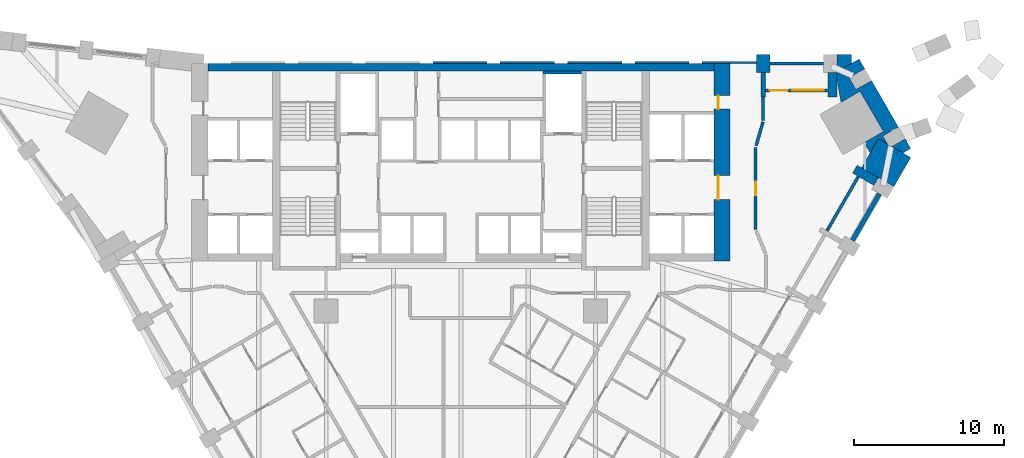
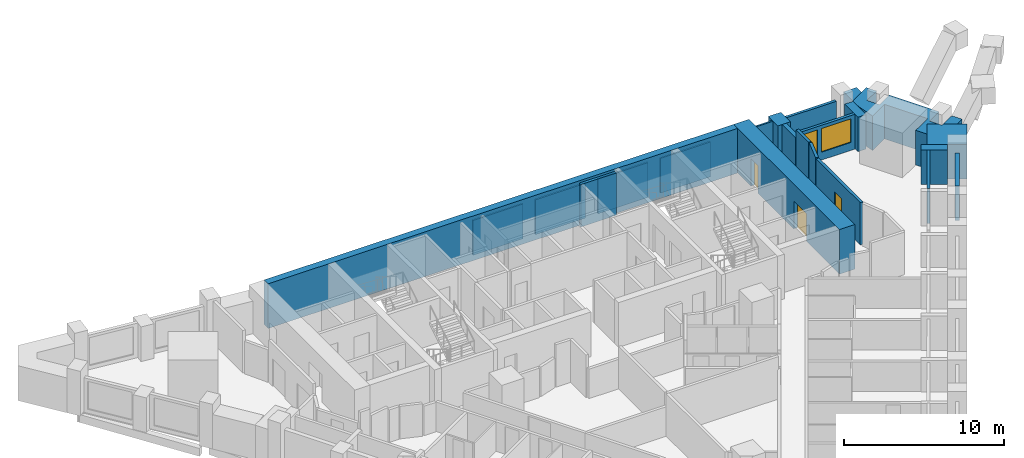
# One storey, part 10 of 12: 23 walls, 4 doors, 1 window, 5 openings.
"""IFC4 building model written with IfcOpenShell, lengths in metres."""

from ifc_helpers import new_model, si_unit, direction, frame, frame_2d, origin, place, context, subcontext, project, spatial, polyline, rectangle, outline, extrude, material, layer, layer_set, type_object, element, fill, save


model = new_model("IFC4")

# Units and contexts
model_context = context("Model", 3, precision=1e-05, world=origin(), true_north=direction((0.0, 1.0)))
body_context = subcontext(model_context, "Body", "Model", "MODEL_VIEW")
ifc_project = project(units=[si_unit("LENGTHUNIT", "METRE"), si_unit("AREAUNIT", "SQUARE_METRE"), si_unit("VOLUMEUNIT", "CUBIC_METRE"), si_unit("PLANEANGLEUNIT", "RADIAN"), si_unit("MASSUNIT", "GRAM", prefix="KILO")], contexts=[model_context])

# Site, building, storey
site_placement = place(None, origin())
site = spatial("IfcSite", under=ifc_project, at=site_placement, CompositionType="ELEMENT")
building_placement = place(site_placement, origin())
building = spatial("IfcBuilding", under=site, at=building_placement, Name="Calabash Gate Tower", CompositionType="ELEMENT")
storey_placement = place(building_placement, frame((0.0, 0.0, 83.39990234375)))
storey = spatial("IfcBuildingStorey", under=building, at=storey_placement, Name="L17", CompositionType="ELEMENT", Elevation=83.39990234375)

# Walls
ifc_material_1 = material(Name="Terracotta brick masonry, exposed face", Category="masonry")
ifc_layer_1 = layer(ifc_material_1, 2.5)
ifc_layer_set_1 = layer_set([ifc_layer_1], Name="Brick corner mass wall 2500")
wall_type_1 = type_object("IfcWallType", Name="Brick corner mass wall 2500", PredefinedType="SOLIDWALL", material=ifc_layer_set_1)
wall_1_placement = place(storey_placement, origin())
element("IfcWall", 1, at=wall_1_placement, inside=storey, type_object=wall_type_1, Name="Brick corner pier S04 3a", PredefinedType="SOLIDWALL", context=body_context, shape_type="SweptSolid", body=[
    extrude(outline(polyline([(30.06640625, 12.771484375), (28.794921875, 13.505615234375), (28.65234375, 13.42333984375), (28.509765625, 13.670166015625), (27.9013671875, 14.021484375), (26.777099609375, 12.073974609375), (28.942138671875, 10.823974609375), (30.06640625, 12.771484375)])), origin(), (0.0, 0.0, 1.0), 2.630126953125),
])
wall_2_placement = place(storey_placement, origin())
element("IfcWall", 2, at=wall_2_placement, inside=storey, type_object=wall_type_1, Name="Brick corner pier S04 3ba", PredefinedType="SOLIDWALL", context=body_context, shape_type="SweptSolid", body=[
    extrude(outline(polyline([(29.72607421875, 13.9609375), (29.583740234375, 13.9609375), (28.777099609375, 13.495361328125), (28.794921875, 13.505615234375), (29.546875, 13.071533203125), (30.06640625, 13.37158203125), (29.72607421875, 13.9609375)])), origin(), (0.0, 0.0, 1.0), 2.630126953125),
])
wall_3_placement = place(storey_placement, origin())
element("IfcWall", 3, at=wall_3_placement, inside=storey, type_object=wall_type_1, Name="Brick corner pier S04 3bb", PredefinedType="SOLIDWALL", context=body_context, shape_type="SweptSolid", body=[
    extrude(outline(polyline([(26.67431640625, 17.1904296875), (28.224365234375, 14.505615234375), (26.94970703125, 13.769775390625), (27.35302734375, 13.071533203125), (27.9013671875, 14.021484375), (28.509765625, 13.670166015625), (28.202392578125, 14.20263671875), (29.240478515625, 14.802001953125), (27.44384765625, 17.9140625), (26.40234375, 17.3212890625), (25.952392578125, 18.100830078125), (26.990234375, 18.699951171875), (26.61328125, 19.3525390625), (25.054443359375, 18.45263671875), (25.141845703125, 18.45263671875), (25.141845703125, 17.947021484375), (25.399658203125, 16.454345703125), (26.67431640625, 17.1904296875)])), origin(), (0.0, 0.0, 1.0), 2.630126953125),
])
wall_4_placement = place(storey_placement, origin())
element("IfcWall", 4, at=wall_4_placement, inside=storey, type_object=wall_type_1, Name="Brick corner pier S04 3c", PredefinedType="SOLIDWALL", context=body_context, shape_type="SweptSolid", body=[
    extrude(outline(polyline([(26.09375, 19.652587890625), (25.14208984375, 19.652587890625), (25.14208984375, 18.503173828125), (26.09375, 19.052490234375), (26.09375, 19.652587890625)])), origin(), (0.0, 0.0, 1.0), 2.630126953125),
])
ifc_material_2 = material(Name="Terracotta brick masonry, exposed face", Category="masonry")
ifc_layer_2 = layer(ifc_material_2, 1.199951171875)
ifc_layer_set_2 = layer_set([ifc_layer_2], Name="Brick end wall 1200")
wall_type_2 = type_object("IfcWallType", Name="Brick end wall 1200", PredefinedType="SOLIDWALL", material=ifc_layer_set_2)
wall_5_placement = place(storey_placement, origin())
element("IfcWall", 5, at=wall_5_placement, inside=storey, type_object=wall_type_2, Name="Brick pier S04 N4.1", PredefinedType="SOLIDWALL", context=body_context, shape_type="SweptSolid", body=[
    extrude(outline(polyline([(20.641845703125, 19.652587890625), (19.74169921875, 19.652587890625), (19.74169921875, 18.45263671875), (20.641845703125, 18.45263671875), (20.641845703125, 19.652587890625)])), origin(), (0.0, 0.0, 1.0), 2.650146484375),
])
ifc_material_3 = material(Name="Terracotta brick masonry, exposed face", Category="masonry")
ifc_layer_3 = layer(ifc_material_3, 0.300048828125)
ifc_layer_set_3 = layer_set([ifc_layer_3], Name="Brick infill panel wall 300")
wall_type_3 = type_object("IfcWallType", Name="Brick infill panel wall 300", PredefinedType="SOLIDWALL", material=ifc_layer_set_3)
wall_6_placement = place(storey_placement, frame((26.17236328125, 7.22705078125, 0.0), z_axis=(0.0, 0.0, 1.0), x_axis=(0.50001992892, 0.866013897511, 0.0)))
element("IfcWall", 6, at=wall_6_placement, inside=storey, type_object=wall_type_3, Name="Brick panel S04 SE2.10", PredefinedType="SOLIDWALL", context=body_context, shape_type="SweptSolid", body=[
    extrude(rectangle(XDim=3.599365234375, YDim=0.300048828125, at=frame_2d((1.7998046875, 0.0))), origin(), (0.0, 0.0, 1.0), 2.630126953125),
])
ifc_material_4 = material(Name="Terracotta brick masonry, exposed face", Category="masonry")
ifc_layer_4 = layer(ifc_material_4, 0.300048828125)
ifc_layer_set_4 = layer_set([ifc_layer_4], Name="Brick loggia cheek wall 300")
wall_type_4 = type_object("IfcWallType", Name="Brick loggia cheek wall 300", PredefinedType="SOLIDWALL", material=ifc_layer_set_4)
wall_7_placement = place(storey_placement, frame((27.7529296875, 11.164306640625, 0.0), z_axis=(0.0, 0.0, 1.0), x_axis=(-0.866040211805, 0.499974350878, 0.0)))
element("IfcWall", 7, at=wall_7_placement, inside=storey, type_object=wall_type_4, Name="Loggia cheek S04 SE2.10", PredefinedType="SOLIDWALL", context=body_context, shape_type="SweptSolid", body=[
    extrude(rectangle(XDim=1.64990234375, YDim=0.60009765625, at=frame_2d((0.824951171875, 0.0))), origin(), (0.0, 0.0, 1.0), 2.650146484375),
])
wall_8_placement = place(storey_placement, origin())
element("IfcWall", 8, at=wall_8_placement, inside=storey, type_object=wall_type_4, Name="Loggia cheek S04 N4.0", PredefinedType="SOLIDWALL", context=body_context, shape_type="SweptSolid", body=[
    extrude(outline(polyline([(25.141845703125, 16.802490234375), (25.141845703125, 18.45263671875), (24.541748046875, 18.45263671875), (24.541748046875, 16.802490234375), (25.141845703125, 16.802490234375)])), origin(), (0.0, 0.0, 1.0), 2.630126953125),
])
wall_9_placement = place(storey_placement, origin())
element("IfcWall", 9, at=wall_9_placement, inside=storey, type_object=wall_type_4, Name="Loggia cheek S04 N4.1", PredefinedType="SOLIDWALL", context=body_context, shape_type="SweptSolid", body=[
    extrude(outline(polyline([(20.041748046875, 18.45263671875), (20.041748046875, 16.802490234375), (20.341796875, 16.802490234375), (20.341796875, 18.45263671875), (20.041748046875, 18.45263671875)])), origin(), (0.0, 0.0, 1.0), 2.650146484375),
])

# Wall, openings, doors
ifc_material_5 = material(Name="Concrete C80/95", Category="concrete")
ifc_layer_5 = layer(ifc_material_5, 1.10009765625)
ifc_layer_set_5 = layer_set([ifc_layer_5], Name="Core wall 1100 Concrete C80/95")
wall_type_5 = type_object("IfcWallType", Name="Core wall 1100 Concrete C80/95", PredefinedType="SHEAR", material=ifc_layer_set_5)
wall_10_placement = place(storey_placement, frame((17.449951171875, 5.8525390625, 0.0), z_axis=(0.0, 0.0, 1.0), x_axis=(0.0, 1.0, 0.0)))
wall_10 = element("IfcWall", 10, at=wall_10_placement, inside=storey, type_object=wall_type_5, Name="Core wall Z1-ENDE L17", PredefinedType="SHEAR", context=body_context, shape_type="SweptSolid", body=[
    extrude(rectangle(XDim=13.199951171875, YDim=1.10009765625, at=frame_2d((6.60009765625, 0.0))), origin(), (0.0, 0.0, 1.0), 3.400146484375),
])
opening_1_placement = place(wall_10_placement, frame((4.10009765625, 0.0, 0.0)))
opening_1 = element("IfcOpeningElement", 11, at=opening_1_placement, cuts=wall_10, Name="Opening H4-002", PredefinedType="OPENING", context=body_context, shape_type="SweptSolid", body=[
    extrude(rectangle(XDim=1.60009765625, YDim=2.10009765625, at=frame_2d((0.800048828125, 1.050048828125))), frame((0.0, 0.56005859375, 0.0), z_axis=(0.0, -1.0, 0.0), x_axis=(1.0, 0.0, 0.0)), (0.0, 0.0, 1.0), 1.1201171875),
])
opening_2_placement = place(wall_10_placement, frame((10.14990234375, 0.0, 0.0)))
opening_2 = element("IfcOpeningElement", 12, at=opening_2_placement, cuts=wall_10, Name="Opening H4-001", PredefinedType="OPENING", context=body_context, shape_type="SweptSolid", body=[
    extrude(rectangle(XDim=0.89990234375, YDim=2.10009765625, at=frame_2d((0.449951171875, 1.050048828125))), frame((0.0, 0.56005859375, 0.0), z_axis=(0.0, -1.0, 0.0), x_axis=(1.0, 0.0, 0.0)), (0.0, 0.0, 1.0), 1.1201171875),
])
ifc_material_6 = material(Name="Steel fire door set with fire-resisting glazing", Category="steel")
door_type_1 = type_object("IfcDoorType", Name="Double fire door D08 1600x2100 FD60", OperationType="DOUBLE_DOOR_SINGLE_SWING", PredefinedType="DOOR", material=ifc_material_6)
door_1_placement = place(opening_1_placement, origin())
door_1 = element("IfcDoor", 13, at=door_1_placement, inside=storey, type_object=door_type_1, Name="Low-rise Lift Lobby E door", OperationType="DOUBLE_DOOR_SINGLE_SWING", OverallHeight=2.10009765625, OverallWidth=1.60009765625, PredefinedType="DOOR", context=body_context, shape_type="SweptSolid", body=[
    extrude(rectangle(XDim=1.60009765625, YDim=2.10009765625, at=frame_2d((0.800048828125, 1.050048828125))), frame((0.0, 0.27490234375, 0.0), z_axis=(0.0, -1.0, 0.0), x_axis=(1.0, 0.0, 0.0)), (0.0, 0.0, 1.0), 0.050048828125),
])
fill(opening_1, door_1)
ifc_material_7 = material(Name="Steel fire door set with fire-resisting glazing", Category="steel")
door_type_2 = type_object("IfcDoorType", Name="Fire door D06 900x2100 FD60", OperationType="NOTDEFINED", PredefinedType="DOOR", material=ifc_material_7)
door_2_placement = place(opening_2_placement, origin())
door_2 = element("IfcDoor", 14, at=door_2_placement, inside=storey, type_object=door_type_2, Name="Housekeeping Store door", OperationType="SINGLE_SWING_LEFT", OverallHeight=2.10009765625, OverallWidth=0.89990234375, PredefinedType="DOOR", context=body_context, shape_type="SweptSolid", body=[
    extrude(rectangle(XDim=0.89990234375, YDim=2.10009765625, at=frame_2d((0.449951171875, 1.050048828125))), frame((0.0, 0.27490234375, 0.0), z_axis=(0.0, -1.0, 0.0), x_axis=(1.0, 0.0, 0.0)), (0.0, 0.0, 1.0), 0.050048828125),
])
fill(opening_2, door_2)

# Wall
ifc_material_8 = material(Name="Concrete C80/95", Category="concrete")
ifc_layer_6 = layer(ifc_material_8, 0.5)
ifc_layer_set_6 = layer_set([ifc_layer_6], Name="Core wall 500 Concrete C80/95")
wall_type_6 = type_object("IfcWallType", Name="Core wall 500 Concrete C80/95", PredefinedType="SHEAR", material=ifc_layer_set_6)
wall_11_placement = place(storey_placement, frame((-16.89990234375, 18.802490234375, 0.0), z_axis=(0.0, 0.0, 1.0), x_axis=(1.0, 0.0, 0.0)))
element("IfcWall", 15, at=wall_11_placement, inside=storey, type_object=wall_type_6, Name="Core wall Z1-N L17", PredefinedType="SHEAR", context=body_context, shape_type="SweptSolid", body=[
    extrude(rectangle(XDim=33.7998046875, YDim=0.5, at=frame_2d((16.89990234375, 0.0))), origin(), (0.0, 0.0, 1.0), 3.400146484375),
])

# Wall, opening, door
ifc_material_9 = material(Name="Gypsum board on steel studs, mineral wool", Category="steel")
ifc_layer_7 = layer(ifc_material_9, 0.199951171875)
ifc_layer_set_7 = layer_set([ifc_layer_7], Name="Partition 200 gypsum board EI 60")
wall_type_7 = type_object("IfcWallType", Name="Partition 200 gypsum board EI 60", PredefinedType="PARTITIONING", material=ifc_layer_set_7)
wall_12_placement = place(storey_placement, frame((19.700439453125, 7.95263671875, 0.0), z_axis=(0.0, 0.0, 1.0), x_axis=(0.0, 1.0, 0.0)))
wall_12 = element("IfcWall", 16, at=wall_12_placement, inside=storey, type_object=wall_type_7, Name="Partition", PredefinedType="PARTITIONING", context=body_context, shape_type="SweptSolid", body=[
    extrude(rectangle(XDim=5.499755859375, YDim=0.199951171875, at=frame_2d((2.75, 0.0))), origin(), (0.0, 0.0, 1.0), 3.22998046875),
])
opening_3_placement = place(wall_12_placement, frame((2.2998046875, 0.0, 0.0)))
opening_3 = element("IfcOpeningElement", 17, at=opening_3_placement, cuts=wall_12, Name="Opening 15-17-040", PredefinedType="OPENING", context=body_context, shape_type="SweptSolid", body=[
    extrude(rectangle(XDim=0.89990234375, YDim=2.10009765625, at=frame_2d((0.449951171875, 1.050048828125))), frame((0.0, 0.10986328125, 0.0), z_axis=(0.0, -1.0, 0.0), x_axis=(1.0, 0.0, 0.0)), (0.0, 0.0, 1.0), 0.219970703125),
])
ifc_material_10 = material(Name="Steel fire door set with fire-resisting glazing", Category="steel")
door_type_3 = type_object("IfcDoorType", Name="SD3 Store door 900x2100", OperationType="NOTDEFINED", PredefinedType="DOOR", material=ifc_material_10)
door_3_placement = place(opening_3_placement, origin())
door_3 = element("IfcDoor", 18, at=door_3_placement, inside=storey, type_object=door_type_3, Name="Store door", OperationType="SINGLE_SWING_RIGHT", OverallHeight=2.10009765625, OverallWidth=0.89990234375, PredefinedType="DOOR", context=body_context, shape_type="SweptSolid", body=[
    extrude(rectangle(XDim=0.89990234375, YDim=2.10009765625, at=frame_2d((0.449951171875, 1.050048828125))), frame((0.0, 0.02490234375, 0.0), z_axis=(0.0, -1.0, 0.0), x_axis=(1.0, 0.0, 0.0)), (0.0, 0.0, 1.0), 0.050048828125),
])
fill(opening_3, door_3)

# Walls
wall_13_placement = place(storey_placement, frame((19.728271484375, 13.548583984375, 0.0), z_axis=(0.0, 0.0, 1.0), x_axis=(0.277983512343, 0.960585845651, 0.0)))
element("IfcWall", 19, at=wall_13_placement, inside=storey, type_object=wall_type_7, Name="Partition", PredefinedType="PARTITIONING", context=body_context, shape_type="SweptSolid", body=[
    extrude(rectangle(XDim=1.669677734375, YDim=0.199951171875, at=frame_2d((0.8349609375, 0.0))), origin(), (0.0, 0.0, 1.0), 3.22998046875),
])
wall_14_placement = place(storey_placement, frame((20.1923828125, 15.25244140625, 0.0), z_axis=(0.0, 0.0, 1.0), x_axis=(0.0, 1.0, 0.0)))
element("IfcWall", 20, at=wall_14_placement, inside=storey, type_object=wall_type_7, Name="Partition", PredefinedType="PARTITIONING", context=body_context, shape_type="SweptSolid", body=[
    extrude(rectangle(XDim=1.550048828125, YDim=0.199951171875, at=frame_2d((0.77490234375, 0.0))), origin(), (0.0, 0.0, 1.0), 3.22998046875),
])
ifc_material_11 = material(Name="Concrete C40/50", Category="concrete")
ifc_layer_8 = layer(ifc_material_11, 0.199951171875)
ifc_layer_set_8 = layer_set([ifc_layer_8], Name="Shaft wall 200 Concrete C40/50")
wall_type_8 = type_object("IfcWallType", Name="Shaft wall 200 Concrete C40/50", PredefinedType="SOLIDWALL", material=ifc_layer_set_8)
wall_15_placement = place(storey_placement, frame((5.5, 18.45263671875, 0.0), z_axis=(0.0, 0.0, 1.0), x_axis=(1.0, 0.0, 0.0)))
element("IfcWall", 21, at=wall_15_placement, inside=storey, type_object=wall_type_8, Name="Shaft wall", PredefinedType="SOLIDWALL", context=body_context, shape_type="SweptSolid", body=[
    extrude(rectangle(XDim=2.550048828125, YDim=0.199951171875, at=frame_2d((1.27490234375, 0.0))), origin(), (0.0, 0.0, 1.0), 3.22998046875),
])
ifc_material_12 = material(Name="Terracotta brick masonry, perforated", Category="masonry")
ifc_layer_9 = layer(ifc_material_12, 0.1201171875)
ifc_layer_set_9 = layer_set([ifc_layer_9], Name="Terracotta jaali cladding B 120")
wall_type_9 = type_object("IfcWallType", Name="Terracotta jaali cladding B 120", PredefinedType="SOLIDWALL", material=ifc_layer_set_9)
wall_16_placement = place(storey_placement, origin())
element("IfcWall", 22, at=wall_16_placement, inside=storey, type_object=wall_type_9, Name="Jaali cladding S04 N4.3", PredefinedType="SOLIDWALL", context=body_context, shape_type="SweptSolid", body=[
    extrude(outline(polyline([(11.641845703125, 19.172607421875), (11.641845703125, 19.052490234375), (15.24169921875, 19.052490234375), (15.24169921875, 19.172607421875), (11.641845703125, 19.172607421875)])), origin(), (0.0, 0.0, 1.0), 2.650146484375),
])
wall_17_placement = place(storey_placement, origin())
element("IfcWall", 23, at=wall_17_placement, inside=storey, type_object=wall_type_9, Name="Jaali cladding S04 N4.5", PredefinedType="SOLIDWALL", context=body_context, shape_type="SweptSolid", body=[
    extrude(outline(polyline([(2.641845703125, 19.172607421875), (2.641845703125, 19.052490234375), (6.24169921875, 19.052490234375), (6.24169921875, 19.172607421875), (2.641845703125, 19.172607421875)])), origin(), (0.0, 0.0, 1.0), 2.650146484375),
])
ifc_material_13 = material(Name="Terracotta brick masonry, perforated", Category="masonry")
ifc_layer_10 = layer(ifc_material_13, 0.199951171875)
ifc_layer_set_10 = layer_set([ifc_layer_10], Name="Terracotta jaali screen B")
wall_type_10 = type_object("IfcWallType", Name="Terracotta jaali screen B", PredefinedType="SOLIDWALL", material=ifc_layer_set_10)
wall_18_placement = place(storey_placement, frame((24.24169921875, 19.052490234375, 0.0), z_axis=(0.0, 0.0, 1.0), x_axis=(-1.0, 0.0, 0.0)))
element("IfcWall", 24, at=wall_18_placement, inside=storey, type_object=wall_type_10, Name="SCREEN B S04 N4.1", PredefinedType="SOLIDWALL", context=body_context, shape_type="SweptSolid", body=[
    extrude(rectangle(XDim=3.599853515625, YDim=0.199951171875, at=frame_2d((1.7998046875, 0.0))), origin(), (0.0, 0.0, 1.0), 2.650146484375),
])
ifc_material_14 = material(Name="Terracotta louvre blades in an aluminium frame", Category="masonry")
ifc_layer_11 = layer(ifc_material_14, 0.1201171875)
ifc_layer_set_11 = layer_set([ifc_layer_11], Name="Terracotta vent louvre cladding 120")
wall_type_11 = type_object("IfcWallType", Name="Terracotta vent louvre cladding 120", PredefinedType="ELEMENTEDWALL", material=ifc_layer_set_11)
wall_19_placement = place(storey_placement, origin())
element("IfcWall", 25, at=wall_19_placement, inside=storey, type_object=wall_type_11, Name="Vent louvre cladding S04 N4.2", PredefinedType="ELEMENTEDWALL", context=body_context, shape_type="SweptSolid", body=[
    extrude(outline(polyline([(16.141845703125, 19.172607421875), (16.141845703125, 19.052490234375), (19.7412109375, 19.052490234375), (19.7412109375, 19.172607421875), (16.141845703125, 19.172607421875)])), origin(), (0.0, 0.0, 1.0), 2.650146484375),
])
wall_20_placement = place(storey_placement, origin())
element("IfcWall", 26, at=wall_20_placement, inside=storey, type_object=wall_type_11, Name="Vent louvre cladding S04 N4.4", PredefinedType="ELEMENTEDWALL", context=body_context, shape_type="SweptSolid", body=[
    extrude(outline(polyline([(7.141845703125, 19.172607421875), (7.141845703125, 19.052490234375), (10.74169921875, 19.052490234375), (10.74169921875, 19.172607421875), (7.141845703125, 19.172607421875)])), origin(), (0.0, 0.0, 1.0), 2.650146484375),
])
wall_21_placement = place(storey_placement, origin())
element("IfcWall", 27, at=wall_21_placement, inside=storey, type_object=wall_type_11, Name="Vent louvre cladding S04 N4.6", PredefinedType="ELEMENTEDWALL", context=body_context, shape_type="SweptSolid", body=[
    extrude(outline(polyline([(-1.858154296875, 19.172607421875), (-1.858154296875, 19.052490234375), (1.74169921875, 19.052490234375), (1.74169921875, 19.172607421875), (-1.858154296875, 19.172607421875)])), origin(), (0.0, 0.0, 1.0), 2.650146484375),
])
ifc_material_15 = material(Name="Aluminium framed window wall with insulated spandrel", Category="aluminium")
ifc_layer_12 = layer(ifc_material_15, 0.199951171875)
ifc_layer_set_12 = layer_set([ifc_layer_12], Name="Window wall 200")
wall_type_12 = type_object("IfcWallType", Name="Window wall 200", PredefinedType="ELEMENTEDWALL", material=ifc_layer_set_12)
wall_22_placement = place(storey_placement, frame((24.463623046875, 7.8671875, 0.0), z_axis=(0.0, 0.0, 1.0), x_axis=(0.500027713859, 0.866009402589, 0.0)))
element("IfcWall", 28, at=wall_22_placement, inside=storey, type_object=wall_type_12, Name="Window wall S04 SE2.10", PredefinedType="ELEMENTEDWALL", context=body_context, shape_type="SweptSolid", body=[
    extrude(rectangle(XDim=4.199951171875, YDim=0.199951171875, at=frame_2d((2.10009765625, 0.0))), origin(), (0.0, 0.0, 1.0), 2.650146484375),
])

# Wall, openings, door, window
wall_23_placement = place(storey_placement, frame((24.541748046875, 17.25244140625, 0.0), z_axis=(0.0, 0.0, 1.0), x_axis=(-1.0, 0.0, 0.0)))
wall_23 = element("IfcWall", 29, at=wall_23_placement, inside=storey, type_object=wall_type_12, Name="Window wall S04 N4.1", PredefinedType="ELEMENTEDWALL", context=body_context, shape_type="SweptSolid", body=[
    extrude(rectangle(XDim=4.199951171875, YDim=0.199951171875, at=frame_2d((2.10009765625, 0.0))), origin(), (0.0, 0.0, 1.0), 2.650146484375),
])
opening_4_placement = place(wall_23_placement, frame((0.300048828125, 0.0, 0.60009765625)))
opening_4 = element("IfcOpeningElement", 30, at=opening_4_placement, cuts=wall_23, Name="Opening HW1", PredefinedType="OPENING", context=body_context, shape_type="SweptSolid", body=[
    extrude(rectangle(XDim=2.10009765625, YDim=1.800048828125, at=frame_2d((1.050048828125, 0.89990234375))), frame((0.0, 0.10986328125, 0.0), z_axis=(0.0, -1.0, 0.0), x_axis=(1.0, 0.0, 0.0)), (0.0, 0.0, 1.0), 0.219970703125),
])
opening_5_placement = place(wall_23_placement, frame((2.699951171875, 0.0, 0.0)))
opening_5 = element("IfcOpeningElement", 31, at=opening_5_placement, cuts=wall_23, Name="Opening H4-017", PredefinedType="OPENING", context=body_context, shape_type="SweptSolid", body=[
    extrude(rectangle(XDim=1.199951171875, YDim=2.39990234375, at=frame_2d((0.60009765625, 1.199951171875))), frame((0.0, 0.10986328125, 0.0), z_axis=(0.0, -1.0, 0.0), x_axis=(1.0, 0.0, 0.0)), (0.0, 0.0, 1.0), 0.219970703125),
])
ifc_material_16 = material(Name="Anodised aluminium frame, bronze finish, impact-rated laminated clear glazing", Category="aluminium")
door_type_4 = type_object("IfcDoorType", Name="Loggia door DH1 1200x2400", OperationType="SLIDING_TO_LEFT", PredefinedType="DOOR", material=ifc_material_16)
door_4_placement = place(opening_5_placement, origin())
door_4 = element("IfcDoor", 32, at=door_4_placement, inside=storey, type_object=door_type_4, Name="Loggia door S04 N4.1", OperationType="SINGLE_SWING_LEFT", OverallHeight=2.39990234375, OverallWidth=1.199951171875, PredefinedType="DOOR", context=body_context, shape_type="SweptSolid", body=[
    extrude(rectangle(XDim=1.199951171875, YDim=2.39990234375, at=frame_2d((0.60009765625, 1.199951171875))), frame((0.0, 0.02490234375, 0.0), z_axis=(0.0, -1.0, 0.0), x_axis=(1.0, 0.0, 0.0)), (0.0, 0.0, 1.0), 0.050048828125),
])
fill(opening_5, door_4)
ifc_material_17 = material(Name="Anodised aluminium frame, bronze finish, impact-rated laminated clear glazing", Category="aluminium")
window_type = type_object("IfcWindowType", Name="Window HW1 2100x1800", PartitioningType="DOUBLE_PANEL_VERTICAL", PredefinedType="WINDOW", material=ifc_material_17)
window_placement = place(opening_4_placement, origin())
window = element("IfcWindow", 33, at=window_placement, inside=storey, type_object=window_type, Name="Window HW1 S04 N4.1", OverallHeight=1.800048828125, OverallWidth=2.10009765625, PartitioningType="SINGLE_PANEL", PredefinedType="WINDOW", context=body_context, shape_type="SweptSolid", body=[
    extrude(rectangle(XDim=2.10009765625, YDim=1.800048828125, at=frame_2d((1.050048828125, 0.89990234375))), frame((0.0, 0.030029296875, 0.0), z_axis=(0.0, -1.0, 0.0), x_axis=(1.0, 0.0, 0.0)), (0.0, 0.0, 1.0), 0.06005859375),
])
fill(opening_4, window)

save(model, "model.ifc")
